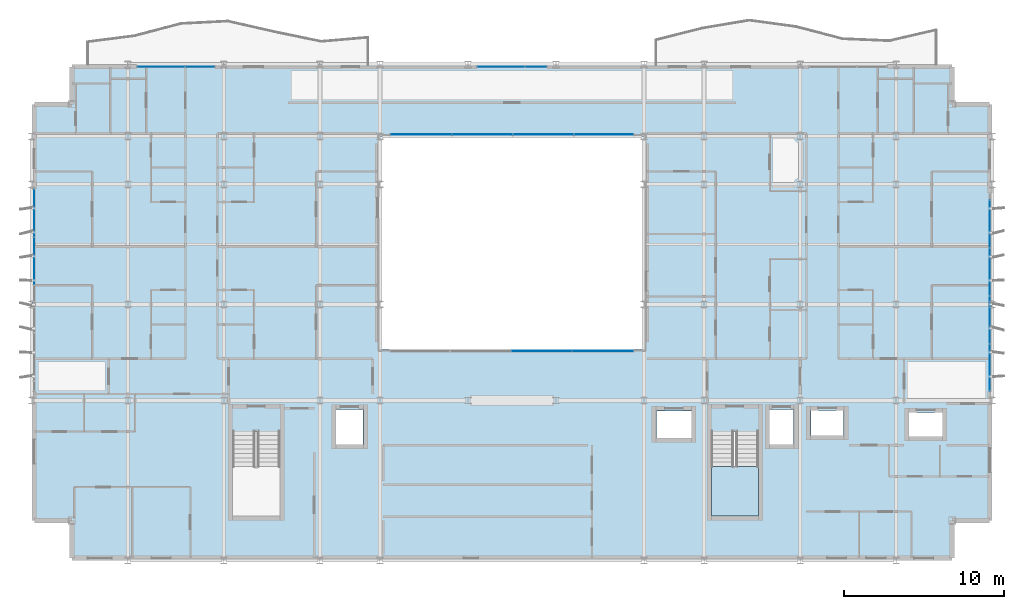
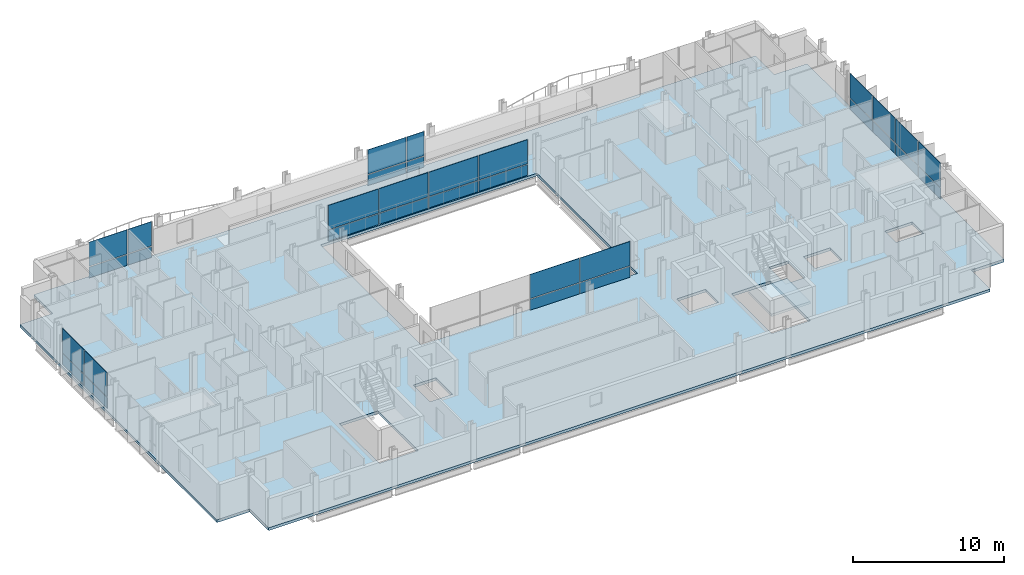
# One storey, part 23 of 39: 32 plates, 2 slabs, 7 elements without a shape of their own.
"""IFC4 building model written with IfcOpenShell, lengths in metres."""

from ifc_helpers import new_model, si_unit, direction, frame, origin, origin_2d, place, context, subcontext, project, spatial, polyline, rectangle, outline, extrude, material, layer, layer_set, type_object, element, aggregate, save


model = new_model("IFC4")

# Units and contexts
model_context = context("Model", 3, precision=1e-05, world=origin(), true_north=direction((0.0, 1.0)))
body_context = subcontext(model_context, "Body", "Model", "MODEL_VIEW")
ifc_project = project(units=[si_unit("LENGTHUNIT", "METRE"), si_unit("AREAUNIT", "SQUARE_METRE"), si_unit("VOLUMEUNIT", "CUBIC_METRE"), si_unit("PLANEANGLEUNIT", "RADIAN"), si_unit("MASSUNIT", "GRAM", prefix="KILO")], contexts=[model_context])

# Site, building, storey
site_placement = place(None, origin())
site = spatial("IfcSite", under=ifc_project, at=site_placement, CompositionType="ELEMENT")
building_placement = place(site_placement, origin())
building = spatial("IfcBuilding", under=site, at=building_placement, Name="Brevholm Reach", CompositionType="ELEMENT")
storey_placement = place(building_placement, frame((0.0, 0.0, 115.89990234375)))
storey = spatial("IfcBuildingStorey", under=building, at=storey_placement, Name="L34", CompositionType="ELEMENT", Elevation=115.89990234375)

# Curtain wall, plates
ifc_material_1 = material(Name="Dark Anodised Aluminium 6063-T6 and Solar-Control Glass", Category="aluminium")
ifc_layer_1 = layer(ifc_material_1, 0.14990234375)
ifc_layer_set_1 = layer_set([ifc_layer_1], Name="Dark Anodised Aluminium 6063-T6 and Solar-Control Glass")
curtain_wall_type_1 = type_object("IfcCurtainWallType", Name="CW-01", PredefinedType="NOTDEFINED", material=ifc_layer_set_1)
curtain_wall_1_placement = place(storey_placement, origin())
curtain_wall_1 = element("IfcCurtainWall", 1, at=curtain_wall_1_placement, inside=storey, type_object=curtain_wall_type_1, Name="L34 Curtain Wall CW-01", PredefinedType="NOTDEFINED")
ifc_material_2 = material(Name="Dark Solar-Control Double-Glazed IGU Glass", Category="glass")
ifc_layer_2 = layer(ifc_material_2, 0.028076171875)
ifc_layer_set_2 = layer_set([ifc_layer_2], Name="Dark Solar-Control Double-Glazed IGU Glass")
plate_type_1 = type_object("IfcPlateType", Name="CWP-GLZ-28", PredefinedType="CURTAIN_PANEL", material=ifc_layer_set_2)
plate_1_placement = place(storey_placement, frame((0.14990234375, 21.703857421875, 0.0), z_axis=(0.0, 0.0, 1.0), x_axis=(0.0, -1.0, 0.0)))
plate_1 = element("IfcPlate", 2, at=plate_1_placement, type_object=plate_type_1, Name="CP-01 Glazing Panel 1.1", PredefinedType="CURTAIN_PANEL", context=body_context, shape_type="SweptSolid", body=[
    extrude(rectangle(XDim=2.902587890625, YDim=0.028076171875, at=origin_2d()), origin(), (0.0, 0.0, 1.0), 0.867431640625),
])
plate_2_placement = place(storey_placement, frame((0.14990234375, 21.703857421875, 0.9326171875), z_axis=(0.0, 0.0, 1.0), x_axis=(0.0, -1.0, 0.0)))
plate_2 = element("IfcPlate", 3, at=plate_2_placement, type_object=plate_type_1, Name="CP-01 Glazing Panel 1.2", PredefinedType="CURTAIN_PANEL", context=body_context, shape_type="SweptSolid", body=[
    extrude(rectangle(XDim=2.902587890625, YDim=0.028076171875, at=origin_2d()), origin(), (0.0, 0.0, 1.0), 1.947509765625),
])
plate_3_placement = place(storey_placement, frame((0.14990234375, 18.719970703125, 0.0), z_axis=(0.0, 0.0, 1.0), x_axis=(0.0, -1.0, 0.0)))
plate_3 = element("IfcPlate", 4, at=plate_3_placement, type_object=plate_type_1, Name="CP-01 Glazing Panel 2.1", PredefinedType="CURTAIN_PANEL", context=body_context, shape_type="SweptSolid", body=[
    extrude(rectangle(XDim=2.93505859375, YDim=0.028076171875, at=origin_2d()), origin(), (0.0, 0.0, 1.0), 0.867431640625),
])
plate_4_placement = place(storey_placement, frame((0.14990234375, 18.719970703125, 0.9326171875), z_axis=(0.0, 0.0, 1.0), x_axis=(0.0, -1.0, 0.0)))
plate_4 = element("IfcPlate", 5, at=plate_4_placement, type_object=plate_type_1, Name="CP-01 Glazing Panel 2.2", PredefinedType="CURTAIN_PANEL", context=body_context, shape_type="SweptSolid", body=[
    extrude(rectangle(XDim=2.93505859375, YDim=0.028076171875, at=origin_2d()), origin(), (0.0, 0.0, 1.0), 1.947509765625),
])
aggregate(curtain_wall_1, [plate_1, plate_2, plate_3, plate_4])

curtain_wall_2_placement = place(storey_placement, origin())
curtain_wall_2 = element("IfcCurtainWall", 6, at=curtain_wall_2_placement, inside=storey, type_object=curtain_wall_type_1, Name="L34 Curtain Wall CW-01", PredefinedType="NOTDEFINED")
plate_5_placement = place(storey_placement, frame((59.85009765625, 12.066162109375, 0.0), z_axis=(0.0, 0.0, 1.0), x_axis=(0.0, 1.0, 0.0)))
plate_5 = element("IfcPlate", 7, at=plate_5_placement, type_object=plate_type_1, Name="CP-01 Glazing Panel 1.1", PredefinedType="CURTAIN_PANEL", context=body_context, shape_type="SweptSolid", body=[
    extrude(rectangle(XDim=2.902587890625, YDim=0.028076171875, at=origin_2d()), origin(), (0.0, 0.0, 1.0), 0.867431640625),
])
plate_6_placement = place(storey_placement, frame((59.85009765625, 12.066162109375, 0.9326171875), z_axis=(0.0, 0.0, 1.0), x_axis=(0.0, 1.0, 0.0)))
plate_6 = element("IfcPlate", 8, at=plate_6_placement, type_object=plate_type_1, Name="CP-01 Glazing Panel 1.2", PredefinedType="CURTAIN_PANEL", context=body_context, shape_type="SweptSolid", body=[
    extrude(rectangle(XDim=2.902587890625, YDim=0.028076171875, at=origin_2d()), origin(), (0.0, 0.0, 1.0), 1.947509765625),
])
plate_7_placement = place(storey_placement, frame((59.85009765625, 15.050048828125, 0.0), z_axis=(0.0, 0.0, 1.0), x_axis=(0.0, 1.0, 0.0)))
plate_7 = element("IfcPlate", 9, at=plate_7_placement, type_object=plate_type_1, Name="CP-01 Glazing Panel 2.1", PredefinedType="CURTAIN_PANEL", context=body_context, shape_type="SweptSolid", body=[
    extrude(rectangle(XDim=2.93505859375, YDim=0.028076171875, at=origin_2d()), origin(), (0.0, 0.0, 1.0), 0.867431640625),
])
plate_8_placement = place(storey_placement, frame((59.85009765625, 15.050048828125, 0.9326171875), z_axis=(0.0, 0.0, 1.0), x_axis=(0.0, 1.0, 0.0)))
plate_8 = element("IfcPlate", 10, at=plate_8_placement, type_object=plate_type_1, Name="CP-01 Glazing Panel 2.2", PredefinedType="CURTAIN_PANEL", context=body_context, shape_type="SweptSolid", body=[
    extrude(rectangle(XDim=2.93505859375, YDim=0.028076171875, at=origin_2d()), origin(), (0.0, 0.0, 1.0), 1.947509765625),
])
plate_9_placement = place(storey_placement, frame((59.85009765625, 18.050048828125, 0.0), z_axis=(0.0, 0.0, 1.0), x_axis=(0.0, 1.0, 0.0)))
plate_9 = element("IfcPlate", 11, at=plate_9_placement, type_object=plate_type_1, Name="CP-01 Glazing Panel 3.1", PredefinedType="CURTAIN_PANEL", context=body_context, shape_type="SweptSolid", body=[
    extrude(rectangle(XDim=2.93505859375, YDim=0.028076171875, at=origin_2d()), origin(), (0.0, 0.0, 1.0), 0.867431640625),
])
plate_10_placement = place(storey_placement, frame((59.85009765625, 18.050048828125, 0.9326171875), z_axis=(0.0, 0.0, 1.0), x_axis=(0.0, 1.0, 0.0)))
plate_10 = element("IfcPlate", 12, at=plate_10_placement, type_object=plate_type_1, Name="CP-01 Glazing Panel 3.2", PredefinedType="CURTAIN_PANEL", context=body_context, shape_type="SweptSolid", body=[
    extrude(rectangle(XDim=2.93505859375, YDim=0.028076171875, at=origin_2d()), origin(), (0.0, 0.0, 1.0), 1.947509765625),
])
plate_11_placement = place(storey_placement, frame((59.85009765625, 21.050048828125, 0.0), z_axis=(0.0, 0.0, 1.0), x_axis=(0.0, 1.0, 0.0)))
plate_11 = element("IfcPlate", 13, at=plate_11_placement, type_object=plate_type_1, Name="CP-01 Glazing Panel 4.1", PredefinedType="CURTAIN_PANEL", context=body_context, shape_type="SweptSolid", body=[
    extrude(rectangle(XDim=2.93505859375, YDim=0.028076171875, at=origin_2d()), origin(), (0.0, 0.0, 1.0), 0.867431640625),
])
plate_12_placement = place(storey_placement, frame((59.85009765625, 21.050048828125, 0.9326171875), z_axis=(0.0, 0.0, 1.0), x_axis=(0.0, 1.0, 0.0)))
plate_12 = element("IfcPlate", 14, at=plate_12_placement, type_object=plate_type_1, Name="CP-01 Glazing Panel 4.2", PredefinedType="CURTAIN_PANEL", context=body_context, shape_type="SweptSolid", body=[
    extrude(rectangle(XDim=2.93505859375, YDim=0.028076171875, at=origin_2d()), origin(), (0.0, 0.0, 1.0), 1.947509765625),
])
aggregate(curtain_wall_2, [plate_5, plate_6, plate_7, plate_8, plate_9, plate_10, plate_11, plate_12])

curtain_wall_3_placement = place(storey_placement, origin())
curtain_wall_3 = element("IfcCurtainWall", 15, at=curtain_wall_3_placement, inside=storey, type_object=curtain_wall_type_1, Name="L34 Curtain Wall CW-01", PredefinedType="NOTDEFINED")
plate_13_placement = place(storey_placement, frame((8.066162109375, 30.85009765625, 0.0), z_axis=(0.0, 0.0, 1.0), x_axis=(1.0, 0.0, 0.0)))
plate_13 = element("IfcPlate", 16, at=plate_13_placement, type_object=plate_type_1, Name="CP-01 Glazing Panel 1.1", PredefinedType="CURTAIN_PANEL", context=body_context, shape_type="SweptSolid", body=[
    extrude(rectangle(XDim=2.902587890625, YDim=0.028076171875, at=origin_2d()), origin(), (0.0, 0.0, 1.0), 0.867431640625),
])
plate_14_placement = place(storey_placement, frame((8.066162109375, 30.85009765625, 0.9326171875), z_axis=(0.0, 0.0, 1.0), x_axis=(1.0, 0.0, 0.0)))
plate_14 = element("IfcPlate", 17, at=plate_14_placement, type_object=plate_type_1, Name="CP-01 Glazing Panel 1.2", PredefinedType="CURTAIN_PANEL", context=body_context, shape_type="SweptSolid", body=[
    extrude(rectangle(XDim=2.902587890625, YDim=0.028076171875, at=origin_2d()), origin(), (0.0, 0.0, 1.0), 1.947509765625),
])
plate_15_placement = place(storey_placement, frame((10.483642578125, 30.85009765625, 0.0), z_axis=(0.0, 0.0, 1.0), x_axis=(1.0, 0.0, 0.0)))
plate_15 = element("IfcPlate", 18, at=plate_15_placement, type_object=plate_type_1, Name="CP-01 Glazing Panel 2.1", PredefinedType="CURTAIN_PANEL", context=body_context, shape_type="SweptSolid", body=[
    extrude(rectangle(XDim=1.802490234375, YDim=0.028076171875, at=origin_2d()), origin(), (0.0, 0.0, 1.0), 0.867431640625),
])
plate_16_placement = place(storey_placement, frame((10.483642578125, 30.85009765625, 0.9326171875), z_axis=(0.0, 0.0, 1.0), x_axis=(1.0, 0.0, 0.0)))
plate_16 = element("IfcPlate", 19, at=plate_16_placement, type_object=plate_type_1, Name="CP-01 Glazing Panel 2.2", PredefinedType="CURTAIN_PANEL", context=body_context, shape_type="SweptSolid", body=[
    extrude(rectangle(XDim=1.802490234375, YDim=0.028076171875, at=origin_2d()), origin(), (0.0, 0.0, 1.0), 1.947509765625),
])
aggregate(curtain_wall_3, [plate_13, plate_14, plate_15, plate_16])

curtain_wall_4_placement = place(storey_placement, origin())
curtain_wall_4 = element("IfcCurtainWall", 20, at=curtain_wall_4_placement, inside=storey, type_object=curtain_wall_type_1, Name="L34 Curtain Wall CW-01", PredefinedType="NOTDEFINED")
plate_17_placement = place(storey_placement, frame((29.316162109375, 30.85009765625, 0.0), z_axis=(0.0, 0.0, 1.0), x_axis=(1.0, 0.0, 0.0)))
plate_17 = element("IfcPlate", 21, at=plate_17_placement, type_object=plate_type_1, Name="CP-01 Glazing Panel 1.1", PredefinedType="CURTAIN_PANEL", context=body_context, shape_type="SweptSolid", body=[
    extrude(rectangle(XDim=2.902587890625, YDim=0.028076171875, at=origin_2d()), origin(), (0.0, 0.0, 1.0), 0.867431640625),
])
plate_18_placement = place(storey_placement, frame((29.316162109375, 30.85009765625, 0.9326171875), z_axis=(0.0, 0.0, 1.0), x_axis=(1.0, 0.0, 0.0)))
plate_18 = element("IfcPlate", 22, at=plate_18_placement, type_object=plate_type_1, Name="CP-01 Glazing Panel 1.2", PredefinedType="CURTAIN_PANEL", context=body_context, shape_type="SweptSolid", body=[
    extrude(rectangle(XDim=2.902587890625, YDim=0.028076171875, at=origin_2d()), origin(), (0.0, 0.0, 1.0), 1.947509765625),
])
plate_19_placement = place(storey_placement, frame((31.483642578125, 30.85009765625, 0.0), z_axis=(0.0, 0.0, 1.0), x_axis=(1.0, 0.0, 0.0)))
plate_19 = element("IfcPlate", 23, at=plate_19_placement, type_object=plate_type_1, Name="CP-01 Glazing Panel 2.1", PredefinedType="CURTAIN_PANEL", context=body_context, shape_type="SweptSolid", body=[
    extrude(rectangle(XDim=1.302490234375, YDim=0.028076171875, at=origin_2d()), origin(), (0.0, 0.0, 1.0), 0.867431640625),
])
plate_20_placement = place(storey_placement, frame((31.483642578125, 30.85009765625, 0.9326171875), z_axis=(0.0, 0.0, 1.0), x_axis=(1.0, 0.0, 0.0)))
plate_20 = element("IfcPlate", 24, at=plate_20_placement, type_object=plate_type_1, Name="CP-01 Glazing Panel 2.2", PredefinedType="CURTAIN_PANEL", context=body_context, shape_type="SweptSolid", body=[
    extrude(rectangle(XDim=1.302490234375, YDim=0.028076171875, at=origin_2d()), origin(), (0.0, 0.0, 1.0), 1.947509765625),
])
aggregate(curtain_wall_4, [plate_17, plate_18, plate_19, plate_20])

ifc_material_3 = material(Name="Dark Anodised Aluminium 6063-T6 and Solar-Control Glass", Category="aluminium")
ifc_layer_3 = layer(ifc_material_3, 0.139892578125)
ifc_layer_set_3 = layer_set([ifc_layer_3], Name="Dark Anodised Aluminium 6063-T6 and Solar-Control Glass")
curtain_wall_type_2 = type_object("IfcCurtainWallType", Name="CW-02", PredefinedType="NOTDEFINED", material=ifc_layer_set_3)
curtain_wall_5_placement = place(storey_placement, origin())
curtain_wall_5 = element("IfcCurtainWall", 25, at=curtain_wall_5_placement, inside=storey, type_object=curtain_wall_type_2, Name="L34 Curtain Wall CW-02", PredefinedType="NOTDEFINED")
ifc_material_4 = material(Name="Low-Iron Laminated Acoustic Glass", Category="glass")
ifc_layer_4 = layer(ifc_material_4, 0.035888671875)
ifc_layer_set_4 = layer_set([ifc_layer_4], Name="Low-Iron Laminated Acoustic Glass")
plate_type_2 = type_object("IfcPlateType", Name="CWP-GLZ-36", PredefinedType="CURTAIN_PANEL", material=ifc_layer_set_4)
plate_21_placement = place(storey_placement, frame((31.85009765625, 13.080078125, 0.0), z_axis=(0.0, 0.0, 1.0), x_axis=(1.0, 0.0, 0.0)))
plate_21 = element("IfcPlate", 26, at=plate_21_placement, type_object=plate_type_2, Name="CP-02 Glazing Panel 3.1", PredefinedType="CURTAIN_PANEL", context=body_context, shape_type="SweptSolid", body=[
    extrude(rectangle(XDim=3.739990234375, YDim=0.035888671875, at=origin_2d()), origin(), (0.0, 0.0, 1.0), 0.8701171875),
])
plate_22_placement = place(storey_placement, frame((31.85009765625, 13.080078125, 0.93017578125), z_axis=(0.0, 0.0, 1.0), x_axis=(1.0, 0.0, 0.0)))
plate_22 = element("IfcPlate", 27, at=plate_22_placement, type_object=plate_type_2, Name="CP-02 Glazing Panel 3.2", PredefinedType="CURTAIN_PANEL", context=body_context, shape_type="SweptSolid", body=[
    extrude(rectangle(XDim=3.739990234375, YDim=0.035888671875, at=origin_2d()), origin(), (0.0, 0.0, 1.0), 1.949951171875),
])
plate_23_placement = place(storey_placement, frame((35.68505859375, 13.080078125, 0.0), z_axis=(0.0, 0.0, 1.0), x_axis=(1.0, 0.0, 0.0)))
plate_23 = element("IfcPlate", 28, at=plate_23_placement, type_object=plate_type_2, Name="CP-02 Glazing Panel 4.1", PredefinedType="CURTAIN_PANEL", context=body_context, shape_type="SweptSolid", body=[
    extrude(rectangle(XDim=3.81005859375, YDim=0.035888671875, at=origin_2d()), origin(), (0.0, 0.0, 1.0), 0.8701171875),
])
plate_24_placement = place(storey_placement, frame((35.68505859375, 13.080078125, 0.93017578125), z_axis=(0.0, 0.0, 1.0), x_axis=(1.0, 0.0, 0.0)))
plate_24 = element("IfcPlate", 29, at=plate_24_placement, type_object=plate_type_2, Name="CP-02 Glazing Panel 4.2", PredefinedType="CURTAIN_PANEL", context=body_context, shape_type="SweptSolid", body=[
    extrude(rectangle(XDim=3.81005859375, YDim=0.035888671875, at=origin_2d()), origin(), (0.0, 0.0, 1.0), 1.949951171875),
])
aggregate(curtain_wall_5, [plate_21, plate_22, plate_23, plate_24])

curtain_wall_6_placement = place(storey_placement, origin())
curtain_wall_6 = element("IfcCurtainWall", 30, at=curtain_wall_6_placement, inside=storey, type_object=curtain_wall_type_2, Name="L34 Curtain Wall CW-02", PredefinedType="NOTDEFINED")
plate_25_placement = place(storey_placement, frame((35.735107421875, 26.6201171875, 0.0), z_axis=(0.0, 0.0, 1.0), x_axis=(-1.0, 0.0, 0.0)))
plate_25 = element("IfcPlate", 31, at=plate_25_placement, type_object=plate_type_2, Name="CP-02 Glazing Panel 1.1", PredefinedType="CURTAIN_PANEL", context=body_context, shape_type="SweptSolid", body=[
    extrude(rectangle(XDim=3.7099609375, YDim=0.035888671875, at=origin_2d()), origin(), (0.0, 0.0, 1.0), 0.8701171875),
])
plate_26_placement = place(storey_placement, frame((35.735107421875, 26.6201171875, 0.93017578125), z_axis=(0.0, 0.0, 1.0), x_axis=(-1.0, 0.0, 0.0)))
plate_26 = element("IfcPlate", 32, at=plate_26_placement, type_object=plate_type_2, Name="CP-02 Glazing Panel 1.2", PredefinedType="CURTAIN_PANEL", context=body_context, shape_type="SweptSolid", body=[
    extrude(rectangle(XDim=3.7099609375, YDim=0.035888671875, at=origin_2d()), origin(), (0.0, 0.0, 1.0), 1.949951171875),
])
plate_27_placement = place(storey_placement, frame((31.949951171875, 26.6201171875, 0.0), z_axis=(0.0, 0.0, 1.0), x_axis=(-1.0, 0.0, 0.0)))
plate_27 = element("IfcPlate", 33, at=plate_27_placement, type_object=plate_type_2, Name="CP-02 Glazing Panel 2.1", PredefinedType="CURTAIN_PANEL", context=body_context, shape_type="SweptSolid", body=[
    extrude(rectangle(XDim=3.739990234375, YDim=0.035888671875, at=origin_2d()), origin(), (0.0, 0.0, 1.0), 0.8701171875),
])
plate_28_placement = place(storey_placement, frame((31.949951171875, 26.6201171875, 0.93017578125), z_axis=(0.0, 0.0, 1.0), x_axis=(-1.0, 0.0, 0.0)))
plate_28 = element("IfcPlate", 34, at=plate_28_placement, type_object=plate_type_2, Name="CP-02 Glazing Panel 2.2", PredefinedType="CURTAIN_PANEL", context=body_context, shape_type="SweptSolid", body=[
    extrude(rectangle(XDim=3.739990234375, YDim=0.035888671875, at=origin_2d()), origin(), (0.0, 0.0, 1.0), 1.949951171875),
])
plate_29_placement = place(storey_placement, frame((28.14990234375, 26.6201171875, 0.0), z_axis=(0.0, 0.0, 1.0), x_axis=(-1.0, 0.0, 0.0)))
plate_29 = element("IfcPlate", 35, at=plate_29_placement, type_object=plate_type_2, Name="CP-02 Glazing Panel 3.1", PredefinedType="CURTAIN_PANEL", context=body_context, shape_type="SweptSolid", body=[
    extrude(rectangle(XDim=3.739990234375, YDim=0.035888671875, at=origin_2d()), origin(), (0.0, 0.0, 1.0), 0.8701171875),
])
plate_30_placement = place(storey_placement, frame((28.14990234375, 26.6201171875, 0.93017578125), z_axis=(0.0, 0.0, 1.0), x_axis=(-1.0, 0.0, 0.0)))
plate_30 = element("IfcPlate", 36, at=plate_30_placement, type_object=plate_type_2, Name="CP-02 Glazing Panel 3.2", PredefinedType="CURTAIN_PANEL", context=body_context, shape_type="SweptSolid", body=[
    extrude(rectangle(XDim=3.739990234375, YDim=0.035888671875, at=origin_2d()), origin(), (0.0, 0.0, 1.0), 1.949951171875),
])
plate_31_placement = place(storey_placement, frame((24.31494140625, 26.6201171875, 0.0), z_axis=(0.0, 0.0, 1.0), x_axis=(-1.0, 0.0, 0.0)))
plate_31 = element("IfcPlate", 37, at=plate_31_placement, type_object=plate_type_2, Name="CP-02 Glazing Panel 4.1", PredefinedType="CURTAIN_PANEL", context=body_context, shape_type="SweptSolid", body=[
    extrude(rectangle(XDim=3.81005859375, YDim=0.035888671875, at=origin_2d()), origin(), (0.0, 0.0, 1.0), 0.8701171875),
])
plate_32_placement = place(storey_placement, frame((24.31494140625, 26.6201171875, 0.93017578125), z_axis=(0.0, 0.0, 1.0), x_axis=(-1.0, 0.0, 0.0)))
plate_32 = element("IfcPlate", 38, at=plate_32_placement, type_object=plate_type_2, Name="CP-02 Glazing Panel 4.2", PredefinedType="CURTAIN_PANEL", context=body_context, shape_type="SweptSolid", body=[
    extrude(rectangle(XDim=3.81005859375, YDim=0.035888671875, at=origin_2d()), origin(), (0.0, 0.0, 1.0), 1.949951171875),
])
aggregate(curtain_wall_6, [plate_25, plate_26, plate_27, plate_28, plate_29, plate_30, plate_31, plate_32])

# Slab
ifc_material_5 = material(Name="Concrete C40/50", Category="concrete")
ifc_layer_5 = layer(ifc_material_5, 0.219970703125)
ifc_layer_set_5 = layer_set([ifc_layer_5], Name="Concrete C40/50")
slab_type_1 = type_object("IfcSlabType", Name="SLB-FL-220", PredefinedType="FLOOR", material=ifc_layer_set_5)
slab_1_placement = place(storey_placement, frame((0.0, 0.0, -0.219970703125)))
element("IfcSlab", 39, at=slab_1_placement, inside=storey, type_object=slab_type_1, Name="L34 Suspended Floor Slab (main)", PredefinedType="FLOOR", context=body_context, shape_type="SweptSolid", body=[
    extrude(outline(polyline([(2.5, 0.0), (57.5, 0.0), (57.5, 2.5), (60.0, 2.5), (60.0, 28.5), (57.5, 28.5), (57.5, 31.0), (2.5, 31.0), (2.5, 28.5), (0.0, 28.5), (0.0, 2.5), (2.5, 2.5), (2.5, 0.0)]), holes=[polyline([(21.75, 13.199951171875), (38.25, 13.199951171875), (38.25, 26.5), (21.75, 26.5), (21.75, 13.199951171875)]), polyline([(12.550048828125, 2.780029296875), (15.5, 2.780029296875), (15.5, 8.044921875), (12.550048828125, 8.044921875), (12.550048828125, 2.780029296875)]), polyline([(42.449951171875, 2.780029296875), (45.39990234375, 2.780029296875), (45.39990234375, 8.044921875), (42.449951171875, 8.044921875), (42.449951171875, 2.780029296875)]), polyline([(19.0, 7.25), (20.699951171875, 7.25), (20.699951171875, 9.449951171875), (19.0, 9.449951171875), (19.0, 7.25)]), polyline([(46.10009765625, 7.25), (47.60009765625, 7.25), (47.60009765625, 9.449951171875), (46.10009765625, 9.449951171875), (46.10009765625, 7.25)]), polyline([(48.675048828125, 7.824951171875), (50.72509765625, 7.824951171875), (50.72509765625, 9.375), (48.675048828125, 9.375), (48.675048828125, 7.824951171875)]), polyline([(54.800048828125, 7.75), (56.89990234375, 7.75), (56.89990234375, 9.25), (54.800048828125, 9.25), (54.800048828125, 7.75)]), polyline([(39.02001953125, 7.64990234375), (41.219970703125, 7.64990234375), (41.219970703125, 9.35009765625), (39.02001953125, 9.35009765625), (39.02001953125, 7.64990234375)])]), origin(), (0.0, 0.0, 1.0), 0.219970703125),
])

# Stair, slab
ifc_material_6 = material(Name="Precast Concrete C40/50", Category="concrete")
stair_type = type_object("IfcStairType", Name="STR-ESC-1400", PredefinedType="DOUBLE_RETURN_STAIR", material=ifc_material_6)
stair_placement = place(storey_placement, origin())
stair = element("IfcStair", 40, at=stair_placement, inside=storey, type_object=stair_type, Name="L34 ST-2", PredefinedType="DOUBLE_RETURN_STAIR")
ifc_material_7 = material(Name="Concrete C40/50", Category="concrete")
ifc_layer_6 = layer(ifc_material_7, 0.199951171875)
ifc_layer_set_6 = layer_set([ifc_layer_6], Name="Concrete C40/50")
slab_type_2 = type_object("IfcSlabType", Name="SLB-LND-200", PredefinedType="LANDING", material=ifc_layer_set_6)
slab_2_placement = place(storey_placement, frame((0.0, 0.0, 1.35009765625)))
slab_2 = element("IfcSlab", 41, at=slab_2_placement, type_object=slab_type_2, Name="ST-2 landing 1", PredefinedType="LANDING", context=body_context, shape_type="SweptSolid", body=[
    extrude(outline(polyline([(42.449951171875, 5.860107421875), (42.449951171875, 2.780029296875), (45.39990234375, 2.780029296875), (45.39990234375, 5.860107421875), (42.449951171875, 5.860107421875)])), origin(), (0.0, 0.0, 1.0), 0.199951171875),
])
aggregate(stair, [slab_2])

save(model, "model.ifc")
